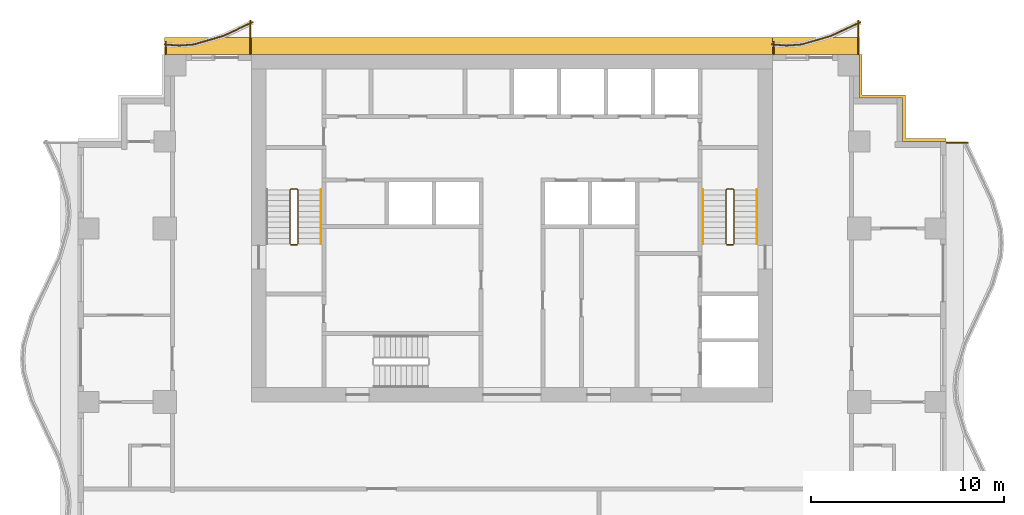
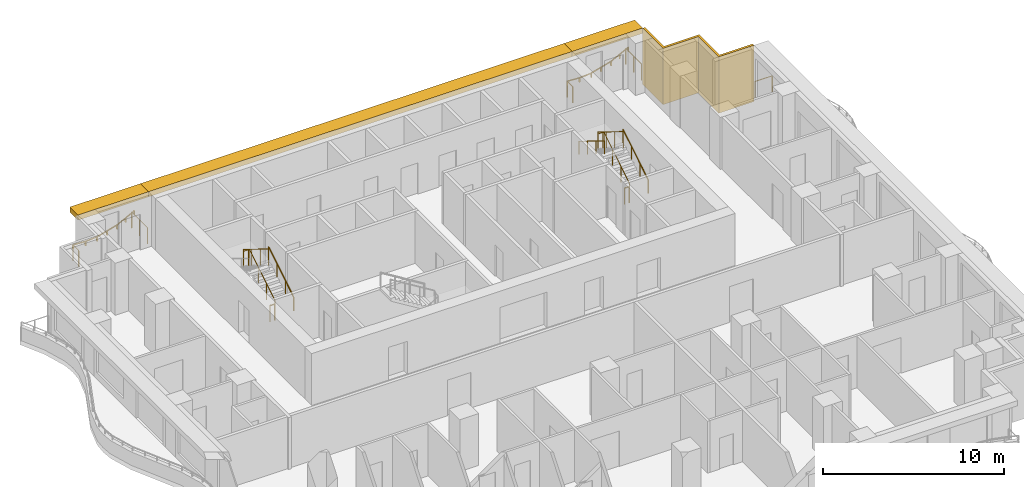
# One storey, part 10 of 10: 14 railings, 4 shading devices.
"""IFC4 building model written with IfcOpenShell, lengths in metres."""

from ifc_helpers import new_model, si_unit, direction, frame, origin, origin_2d, place, context, subcontext, project, spatial, polyline, rectangle, circle, outline, extrude, material, layer, layer_set, type_object, element, save


model = new_model("IFC4")

# Units and contexts
model_context = context("Model", 3, precision=1e-05, world=origin(), true_north=direction((0.0, 1.0)))
body_context = subcontext(model_context, "Body", "Model", "MODEL_VIEW")
ifc_project = project(units=[si_unit("LENGTHUNIT", "METRE"), si_unit("AREAUNIT", "SQUARE_METRE"), si_unit("VOLUMEUNIT", "CUBIC_METRE"), si_unit("PLANEANGLEUNIT", "RADIAN"), si_unit("MASSUNIT", "GRAM", prefix="KILO")], contexts=[model_context])

# Site, building, storey
site_placement = place(None, origin())
site = spatial("IfcSite", under=ifc_project, at=site_placement, CompositionType="ELEMENT")
building_placement = place(site_placement, origin())
building = spatial("IfcBuilding", under=site, at=building_placement, Name="Orbiselva Terraces", CompositionType="ELEMENT")
storey_placement = place(building_placement, frame((0.0, 0.0, 159.2)))
storey = spatial("IfcBuildingStorey", under=building, at=storey_placement, Name="L40", CompositionType="ELEMENT", Elevation=159.2)

# Railings
ifc_material_1 = material(Name="Stainless steel", Category="steel")
railing_type_1 = type_object("IfcRailingType", Name="CORE-GUARD-1100", PredefinedType="GUARDRAIL", material=ifc_material_1)
railing_1_placement = place(storey_placement, frame((-11.1, 12.7, 0.172727)))
element("IfcRailing", 1, at=railing_1_placement, inside=storey, type_object=railing_type_1, Name="L40 S1 stair guard 1", PredefinedType="GUARDRAIL", context=body_context, shape_type="SweptSolid", body=[
    extrude(circle(Radius=0.024, at=origin_2d()), frame((0.0, 0.0, 1.081), z_axis=(0.0, 0.851088519012, 0.52502222125), x_axis=(-1.0, 0.0, 0.0)), (0.0, 0.0, 1.0), 3.289905),
    extrude(circle(Radius=0.024, at=origin_2d()), frame((0.0, 2.8, 2.808273), z_axis=(-0.707106781187, 0.707106781187, 0.0), x_axis=(-0.707106781187, -0.707106781187, 0.0)), (0.0, 0.0, 1.0), 0.070711),
    extrude(circle(Radius=0.024, at=origin_2d()), frame((-0.05, 2.85, 2.808273), z_axis=(-1.0, 0.0, 0.0), x_axis=(0.0, -1.0, 0.0)), (0.0, 0.0, 1.0), 0.3),
    extrude(circle(Radius=0.024, at=origin_2d()), frame((-0.35, 2.85, 2.808273), z_axis=(-0.267894925557, -0.267894925557, 0.925453736133), x_axis=(0.707106781187, -0.707106781187, 0.0)), (0.0, 0.0, 1.0), 0.18664),
    extrude(circle(Radius=0.024, at=origin_2d()), frame((-0.4, 2.8, 2.981), z_axis=(0.0, -0.851088519012, 0.52502222125), x_axis=(1.0, 0.0, 0.0)), (0.0, 0.0, 1.0), 3.289905),
    extrude(circle(Radius=0.021, at=origin_2d()), origin(), (0.0, 0.0, 1.0), 1.057),
    extrude(circle(Radius=0.021, at=origin_2d()), frame((0.0, 0.933333, 0.575758)), (0.0, 0.0, 1.0), 1.057),
    extrude(circle(Radius=0.021, at=origin_2d()), frame((0.0, 1.866667, 1.151515)), (0.0, 0.0, 1.0), 1.057),
    extrude(circle(Radius=0.021, at=origin_2d()), frame((0.0, 2.8, 1.727273)), (0.0, 0.0, 1.0), 1.057),
    extrude(circle(Radius=0.021, at=origin_2d()), frame((-0.05, 2.85, 1.727273)), (0.0, 0.0, 1.0), 1.057),
    extrude(circle(Radius=0.021, at=origin_2d()), frame((-0.35, 2.85, 1.727273)), (0.0, 0.0, 1.0), 1.057),
    extrude(circle(Radius=0.021, at=origin_2d()), frame((-0.4, 2.8, 1.9)), (0.0, 0.0, 1.0), 1.057),
    extrude(circle(Radius=0.021, at=origin_2d()), frame((-0.4, 1.866667, 2.475758)), (0.0, 0.0, 1.0), 1.057),
    extrude(circle(Radius=0.021, at=origin_2d()), frame((-0.4, 0.933333, 3.051515)), (0.0, 0.0, 1.0), 1.057),
    extrude(circle(Radius=0.021, at=origin_2d()), frame((-0.4, 0.0, 3.627273)), (0.0, 0.0, 1.0), 1.057),
])
railing_2_placement = place(storey_placement, frame((-11.15, 12.65, 0.0)))
element("IfcRailing", 2, at=railing_2_placement, inside=storey, type_object=railing_type_1, Name="L40 S1 stair guard 2", PredefinedType="GUARDRAIL", context=body_context, shape_type="SweptSolid", body=[
    extrude(circle(Radius=0.024, at=origin_2d()), frame((0.0, 0.0, 1.081), z_axis=(-1.0, 0.0, 0.0), x_axis=(0.0, -1.0, 0.0)), (0.0, 0.0, 1.0), 0.3),
    extrude(circle(Radius=0.021, at=origin_2d()), origin(), (0.0, 0.0, 1.0), 1.057),
    extrude(circle(Radius=0.021, at=origin_2d()), frame((-0.3, 0.0, 0.0)), (0.0, 0.0, 1.0), 1.057),
])
railing_3_placement = place(storey_placement, frame((11.5, 12.7, 0.172727)))
element("IfcRailing", 3, at=railing_3_placement, inside=storey, type_object=railing_type_1, Name="L40 S2 stair guard 1", PredefinedType="GUARDRAIL", context=body_context, shape_type="SweptSolid", body=[
    extrude(circle(Radius=0.024, at=origin_2d()), frame((0.0, 0.0, 1.081), z_axis=(0.0, 0.851088519012, 0.52502222125), x_axis=(-1.0, 0.0, 0.0)), (0.0, 0.0, 1.0), 3.289905),
    extrude(circle(Radius=0.024, at=origin_2d()), frame((0.0, 2.8, 2.808273), z_axis=(-0.707106781187, 0.707106781187, 0.0), x_axis=(-0.707106781187, -0.707106781187, 0.0)), (0.0, 0.0, 1.0), 0.070711),
    extrude(circle(Radius=0.024, at=origin_2d()), frame((-0.05, 2.85, 2.808273), z_axis=(-1.0, 0.0, 0.0), x_axis=(0.0, -1.0, 0.0)), (0.0, 0.0, 1.0), 0.3),
    extrude(circle(Radius=0.024, at=origin_2d()), frame((-0.35, 2.85, 2.808273), z_axis=(-0.267894925557, -0.267894925557, 0.925453736133), x_axis=(0.707106781187, -0.707106781187, 0.0)), (0.0, 0.0, 1.0), 0.18664),
    extrude(circle(Radius=0.024, at=origin_2d()), frame((-0.4, 2.8, 2.981), z_axis=(0.0, -0.851088519012, 0.52502222125), x_axis=(1.0, 0.0, 0.0)), (0.0, 0.0, 1.0), 3.289905),
    extrude(circle(Radius=0.021, at=origin_2d()), origin(), (0.0, 0.0, 1.0), 1.057),
    extrude(circle(Radius=0.021, at=origin_2d()), frame((0.0, 0.933333, 0.575758)), (0.0, 0.0, 1.0), 1.057),
    extrude(circle(Radius=0.021, at=origin_2d()), frame((0.0, 1.866667, 1.151515)), (0.0, 0.0, 1.0), 1.057),
    extrude(circle(Radius=0.021, at=origin_2d()), frame((0.0, 2.8, 1.727273)), (0.0, 0.0, 1.0), 1.057),
    extrude(circle(Radius=0.021, at=origin_2d()), frame((-0.05, 2.85, 1.727273)), (0.0, 0.0, 1.0), 1.057),
    extrude(circle(Radius=0.021, at=origin_2d()), frame((-0.35, 2.85, 1.727273)), (0.0, 0.0, 1.0), 1.057),
    extrude(circle(Radius=0.021, at=origin_2d()), frame((-0.4, 2.8, 1.9)), (0.0, 0.0, 1.0), 1.057),
    extrude(circle(Radius=0.021, at=origin_2d()), frame((-0.4, 1.866667, 2.475758)), (0.0, 0.0, 1.0), 1.057),
    extrude(circle(Radius=0.021, at=origin_2d()), frame((-0.4, 0.933333, 3.051515)), (0.0, 0.0, 1.0), 1.057),
    extrude(circle(Radius=0.021, at=origin_2d()), frame((-0.4, 0.0, 3.627273)), (0.0, 0.0, 1.0), 1.057),
])
railing_4_placement = place(storey_placement, frame((11.45, 12.65, 0.0)))
element("IfcRailing", 4, at=railing_4_placement, inside=storey, type_object=railing_type_1, Name="L40 S2 stair guard 2", PredefinedType="GUARDRAIL", context=body_context, shape_type="SweptSolid", body=[
    extrude(circle(Radius=0.024, at=origin_2d()), frame((0.0, 0.0, 1.081), z_axis=(-1.0, 0.0, 0.0), x_axis=(0.0, -1.0, 0.0)), (0.0, 0.0, 1.0), 0.3),
    extrude(circle(Radius=0.021, at=origin_2d()), origin(), (0.0, 0.0, 1.0), 1.057),
    extrude(circle(Radius=0.021, at=origin_2d()), frame((-0.3, 0.0, 0.0)), (0.0, 0.0, 1.0), 1.057),
])
railing_type_2 = type_object("IfcRailingType", Name="CORE-HANDRAIL-900", PredefinedType="HANDRAIL", material=ifc_material_1)
for number, where, name in (
    (5, (-9.9, 12.7, 0.172727), "L40 S1 stair handrail 1"),
    (6, (12.7, 12.7, 0.172727), "L40 S2 stair handrail 1"),
):
    element("IfcRailing", number, at=place(storey_placement, frame(where)), inside=storey, type_object=railing_type_2, Name=name, PredefinedType="HANDRAIL", context=body_context, shape_type="SweptSolid", body=[
        extrude(circle(Radius=0.024, at=origin_2d()), frame((0.0, 0.0, 0.876), z_axis=(0.0, 0.851088519012, 0.52502222125), x_axis=(-1.0, 0.0, 0.0)), (0.0, 0.0, 1.0), 3.289905),
        extrude(circle(Radius=0.021, at=origin_2d()), origin(), (0.0, 0.0, 1.0), 0.852),
        extrude(circle(Radius=0.021, at=origin_2d()), frame((0.0, 0.933333, 0.575758)), (0.0, 0.0, 1.0), 0.852),
        extrude(circle(Radius=0.021, at=origin_2d()), frame((0.0, 1.866667, 1.151515)), (0.0, 0.0, 1.0), 0.852),
        extrude(circle(Radius=0.021, at=origin_2d()), frame((0.0, 2.8, 1.727273)), (0.0, 0.0, 1.0), 0.852),
    ])
railing_5_placement = place(storey_placement, frame((9.9, 15.5, 2.072727)))
element("IfcRailing", 7, at=railing_5_placement, inside=storey, type_object=railing_type_2, Name="L40 S2 stair handrail 2", PredefinedType="HANDRAIL", context=body_context, shape_type="SweptSolid", body=[
    extrude(circle(Radius=0.024, at=origin_2d()), frame((0.0, 0.0, 0.876), z_axis=(0.0, -0.851088519012, 0.52502222125), x_axis=(1.0, 0.0, 0.0)), (0.0, 0.0, 1.0), 3.289905),
    extrude(circle(Radius=0.021, at=origin_2d()), origin(), (0.0, 0.0, 1.0), 0.852),
    extrude(circle(Radius=0.021, at=origin_2d()), frame((0.0, -0.933333, 0.575758)), (0.0, 0.0, 1.0), 0.852),
    extrude(circle(Radius=0.021, at=origin_2d()), frame((0.0, -1.866667, 1.151515)), (0.0, 0.0, 1.0), 0.852),
    extrude(circle(Radius=0.021, at=origin_2d()), frame((0.0, -2.8, 1.727273)), (0.0, 0.0, 1.0), 0.852),
])
ifc_material_2 = material(Name="Bonded two-ply safety glass balustrade, stainless steel posts", Category="steel")
railing_type_3 = type_object("IfcRailingType", Name="ENV-BALUSTRADE-1200", PredefinedType="BALUSTRADE", material=ifc_material_2)
railing_6_placement = place(storey_placement, frame((18.053191, 24.186882, 0.9)))
element("IfcRailing", 8, at=railing_6_placement, inside=storey, type_object=railing_type_3, Name="Balcony balustrade L40 NE", PredefinedType="BALUSTRADE", context=body_context, shape_type="SweptSolid", body=[
    extrude(outline(polyline([(0.028868, 0.0), (0.014434, 0.025), (-0.014434, 0.025), (-0.028868, 0.0), (-0.014434, -0.025), (0.014434, -0.025), (0.028868, 0.0)])), frame((0.0, 0.0, 0.275), z_axis=(-0.904944157382, -0.425530342069, 0.0), x_axis=(0.425530342069, -0.904944157382, 0.0)), (0.0, 0.0, 1.0), 1.667376),
    extrude(outline(polyline([(0.028868, 0.0), (0.014434, 0.025), (-0.014434, 0.025), (-0.028868, 0.0), (-0.014434, -0.025), (0.014434, -0.025), (0.028868, 0.0)])), frame((-1.508882, -0.709519, 0.275), z_axis=(-0.960270491427, -0.279070928786, 0.0), x_axis=(0.279070928786, -0.960270491427, 0.0)), (0.0, 0.0, 1.0), 1.584712),
    extrude(outline(polyline([(0.028868, 0.0), (0.014434, 0.025), (-0.014434, 0.025), (-0.028868, 0.0), (-0.014434, -0.025), (0.014434, -0.025), (0.028868, 0.0)])), frame((-3.030634, -1.151766, 0.275), z_axis=(-0.996947796737, -0.078071061106, 0.0), x_axis=(0.078071061106, -0.996947796737, 0.0)), (0.0, 0.0, 1.0), 0.774922),
    extrude(outline(polyline([(0.028868, 0.0), (0.014434, 0.025), (-0.014434, 0.025), (-0.028868, 0.0), (-0.014434, -0.025), (0.014434, -0.025), (0.028868, 0.0)])), frame((-3.803191, -1.212265, 0.275), z_axis=(-0.996947775044, 0.078071338111, 0.0), x_axis=(-0.078071338111, -0.996947775044, 0.0)), (0.0, 0.0, 1.0), 0.762085),
    extrude(rectangle(XDim=0.05, YDim=0.05, at=origin_2d()), origin(), (0.0, 0.0, 1.0), 0.25),
    extrude(rectangle(XDim=0.05, YDim=0.05, at=origin_2d()), frame((-0.754441, -0.35476, 0.0)), (0.0, 0.0, 1.0), 0.25),
    extrude(rectangle(XDim=0.05, YDim=0.05, at=origin_2d()), frame((-1.508882, -0.709519, 0.0)), (0.0, 0.0, 1.0), 0.25),
    extrude(rectangle(XDim=0.05, YDim=0.05, at=origin_2d()), frame((-2.269758, -0.930643, 0.0)), (0.0, 0.0, 1.0), 0.25),
    extrude(rectangle(XDim=0.05, YDim=0.05, at=origin_2d()), frame((-3.030634, -1.151766, 0.0)), (0.0, 0.0, 1.0), 0.25),
    extrude(rectangle(XDim=0.05, YDim=0.05, at=origin_2d()), frame((-3.803191, -1.212265, 0.0)), (0.0, 0.0, 1.0), 0.25),
    extrude(rectangle(XDim=0.05, YDim=0.05, at=origin_2d()), frame((-4.56295, -1.152768, 0.0)), (0.0, 0.0, 1.0), 0.25),
])
railing_7_placement = place(storey_placement, frame((-13.446809, 24.186882, 0.9)))
element("IfcRailing", 9, at=railing_7_placement, inside=storey, type_object=railing_type_3, Name="Balcony balustrade L40 NW", PredefinedType="BALUSTRADE", context=body_context, shape_type="SweptSolid", body=[
    extrude(outline(polyline([(0.028868, 0.0), (0.014434, 0.025), (-0.014434, 0.025), (-0.028868, 0.0), (-0.014434, -0.025), (0.014434, -0.025), (0.028868, 0.0)])), frame((0.0, 0.0, 0.275), z_axis=(-0.904944157382, -0.425530342069, 0.0), x_axis=(0.425530342069, -0.904944157382, 0.0)), (0.0, 0.0, 1.0), 1.667376),
    extrude(outline(polyline([(0.028868, 0.0), (0.014434, 0.025), (-0.014434, 0.025), (-0.028868, 0.0), (-0.014434, -0.025), (0.014434, -0.025), (0.028868, 0.0)])), frame((-1.508882, -0.709519, 0.275), z_axis=(-0.960270491427, -0.279070928786, 0.0), x_axis=(0.279070928786, -0.960270491427, 0.0)), (0.0, 0.0, 1.0), 1.584712),
    extrude(outline(polyline([(0.028868, 0.0), (0.014434, 0.025), (-0.014434, 0.025), (-0.028868, 0.0), (-0.014434, -0.025), (0.014434, -0.025), (0.028868, 0.0)])), frame((-3.030634, -1.151766, 0.275), z_axis=(-0.996947796737, -0.078071061106, 0.0), x_axis=(0.078071061106, -0.996947796737, 0.0)), (0.0, 0.0, 1.0), 0.774922),
    extrude(outline(polyline([(0.028868, 0.0), (0.014434, 0.025), (-0.014434, 0.025), (-0.028868, 0.0), (-0.014434, -0.025), (0.014434, -0.025), (0.028868, 0.0)])), frame((-3.803191, -1.212265, 0.275), z_axis=(-0.996947775044, 0.078071338111, 0.0), x_axis=(-0.078071338111, -0.996947775044, 0.0)), (0.0, 0.0, 1.0), 0.762085),
    extrude(rectangle(XDim=0.05, YDim=0.05, at=origin_2d()), origin(), (0.0, 0.0, 1.0), 0.25),
    extrude(rectangle(XDim=0.05, YDim=0.05, at=origin_2d()), frame((-0.754441, -0.35476, 0.0)), (0.0, 0.0, 1.0), 0.25),
    extrude(rectangle(XDim=0.05, YDim=0.05, at=origin_2d()), frame((-1.508882, -0.709519, 0.0)), (0.0, 0.0, 1.0), 0.25),
    extrude(rectangle(XDim=0.05, YDim=0.05, at=origin_2d()), frame((-2.269758, -0.930643, 0.0)), (0.0, 0.0, 1.0), 0.25),
    extrude(rectangle(XDim=0.05, YDim=0.05, at=origin_2d()), frame((-3.030634, -1.151766, 0.0)), (0.0, 0.0, 1.0), 0.25),
    extrude(rectangle(XDim=0.05, YDim=0.05, at=origin_2d()), frame((-3.803191, -1.212265, 0.0)), (0.0, 0.0, 1.0), 0.25),
    extrude(rectangle(XDim=0.05, YDim=0.05, at=origin_2d()), frame((-4.56295, -1.152768, 0.0)), (0.0, 0.0, 1.0), 0.25),
])
ifc_material_3 = material(Name="Stainless steel rail and posts", Category="steel")
railing_type_4 = type_object("IfcRailingType", Name="ENV-GUARD-1105", PredefinedType="BALUSTRADE", material=ifc_material_3)
railing_8_placement = place(storey_placement, frame((23.619277, 17.94, 0.0)))
element("IfcRailing", 10, at=railing_8_placement, inside=storey, type_object=railing_type_4, Name="Balcony end guard L40 E", PredefinedType="BALUSTRADE", context=body_context, shape_type="SweptSolid", body=[
    extrude(outline(polyline([(0.028868, 0.0), (0.014434, 0.025), (-0.014434, 0.025), (-0.028868, 0.0), (-0.014434, -0.025), (0.014434, -0.025), (0.028868, 0.0)])), frame((0.0, 0.0, 1.08), z_axis=(-1.0, 0.0, 0.0), x_axis=(0.0, -1.0, 0.0)), (0.0, 0.0, 1.0), 1.094277),
    extrude(rectangle(XDim=0.05, YDim=0.05, at=origin_2d()), origin(), (0.0, 0.0, 1.0), 1.055),
    extrude(rectangle(XDim=0.05, YDim=0.05, at=origin_2d()), frame((-1.094277, 0.0, 0.0)), (0.0, 0.0, 1.0), 1.055),
])
railing_9_placement = place(storey_placement, frame((17.94, 24.269844, 0.0)))
element("IfcRailing", 11, at=railing_9_placement, inside=storey, type_object=railing_type_4, Name="Balcony end guard L40 NE", PredefinedType="BALUSTRADE", context=body_context, shape_type="SweptSolid", body=[
    extrude(outline(polyline([(0.028868, 0.0), (0.014434, 0.025), (-0.014434, 0.025), (-0.028868, 0.0), (-0.014434, -0.025), (0.014434, -0.025), (0.028868, 0.0)])), frame((0.0, 0.0, 1.08), z_axis=(0.0, -1.0, 0.0), x_axis=(1.0, 0.0, 0.0)), (0.0, 0.0, 1.0), 1.744844),
    extrude(rectangle(XDim=0.05, YDim=0.05, at=origin_2d()), origin(), (0.0, 0.0, 1.0), 1.055),
    extrude(rectangle(XDim=0.05, YDim=0.05, at=origin_2d()), frame((0.0, -0.872422, 0.0)), (0.0, 0.0, 1.0), 1.055),
    extrude(rectangle(XDim=0.05, YDim=0.05, at=origin_2d()), frame((0.0, -1.744844, 0.0)), (0.0, 0.0, 1.0), 1.055),
])
railing_10_placement = place(storey_placement, frame((13.56, 23.149774, 0.0)))
element("IfcRailing", 12, at=railing_10_placement, inside=storey, type_object=railing_type_4, Name="Balcony end guard L40 NE", PredefinedType="BALUSTRADE", context=body_context, shape_type="SweptSolid", body=[
    extrude(outline(polyline([(0.028868, 0.0), (0.014434, 0.025), (-0.014434, 0.025), (-0.028868, 0.0), (-0.014434, -0.025), (0.014434, -0.025), (0.028868, 0.0)])), frame((0.0, 0.0, 1.08), z_axis=(0.0, -1.0, 0.0), x_axis=(1.0, 0.0, 0.0)), (0.0, 0.0, 1.0), 0.624774),
    extrude(rectangle(XDim=0.05, YDim=0.05, at=origin_2d()), origin(), (0.0, 0.0, 1.0), 1.055),
    extrude(rectangle(XDim=0.05, YDim=0.05, at=origin_2d()), frame((0.0, -0.624774, 0.0)), (0.0, 0.0, 1.0), 1.055),
])
railing_11_placement = place(storey_placement, frame((-13.56, 24.269844, 0.0)))
element("IfcRailing", 13, at=railing_11_placement, inside=storey, type_object=railing_type_4, Name="Balcony end guard L40 NW", PredefinedType="BALUSTRADE", context=body_context, shape_type="SweptSolid", body=[
    extrude(outline(polyline([(0.028868, 0.0), (0.014434, 0.025), (-0.014434, 0.025), (-0.028868, 0.0), (-0.014434, -0.025), (0.014434, -0.025), (0.028868, 0.0)])), frame((0.0, 0.0, 1.08), z_axis=(0.0, -1.0, 0.0), x_axis=(1.0, 0.0, 0.0)), (0.0, 0.0, 1.0), 1.744844),
    extrude(rectangle(XDim=0.05, YDim=0.05, at=origin_2d()), origin(), (0.0, 0.0, 1.0), 1.055),
    extrude(rectangle(XDim=0.05, YDim=0.05, at=origin_2d()), frame((0.0, -0.872422, 0.0)), (0.0, 0.0, 1.0), 1.055),
    extrude(rectangle(XDim=0.05, YDim=0.05, at=origin_2d()), frame((0.0, -1.744844, 0.0)), (0.0, 0.0, 1.0), 1.055),
])
railing_12_placement = place(storey_placement, frame((-17.94, 23.149774, 0.0)))
element("IfcRailing", 14, at=railing_12_placement, inside=storey, type_object=railing_type_4, Name="Balcony end guard L40 NW", PredefinedType="BALUSTRADE", context=body_context, shape_type="SweptSolid", body=[
    extrude(outline(polyline([(0.028868, 0.0), (0.014434, 0.025), (-0.014434, 0.025), (-0.028868, 0.0), (-0.014434, -0.025), (0.014434, -0.025), (0.028868, 0.0)])), frame((0.0, 0.0, 1.08), z_axis=(0.0, -1.0, 0.0), x_axis=(1.0, 0.0, 0.0)), (0.0, 0.0, 1.0), 0.624774),
    extrude(rectangle(XDim=0.05, YDim=0.05, at=origin_2d()), origin(), (0.0, 0.0, 1.0), 1.055),
    extrude(rectangle(XDim=0.05, YDim=0.05, at=origin_2d()), frame((0.0, -0.624774, 0.0)), (0.0, 0.0, 1.0), 1.055),
])

# Shading devices
ifc_material_4 = material(Name="Terracotta louvre screen", Category="masonry")
ifc_layer_1 = layer(ifc_material_4, 0.15)
ifc_layer_set_1 = layer_set([ifc_layer_1], Name="Terracotta louvre screen")
shading_device_type_1 = type_object("IfcShadingDeviceType", Name="ENV-SCREEN-150", PredefinedType="USERDEFINED", material=ifc_layer_set_1)
shading_device_1_placement = place(storey_placement, frame((0.0, 0.0, -0.3)))
element("IfcShadingDevice", 15, at=shading_device_1_placement, inside=storey, type_object=shading_device_type_1, Name="Louvre screen L40 NE", ObjectType="SCREEN", PredefinedType="USERDEFINED", context=body_context, shape_type="SweptSolid", body=[
    extrude(outline(polyline([(22.5, 18.15), (20.4, 18.15), (20.4, 20.4), (18.15, 20.4), (18.15, 22.5), (18.0, 22.5), (18.0, 20.25), (20.25, 20.25), (20.25, 18.0), (22.5, 18.0), (22.5, 18.15)])), origin(), (0.0, 0.0, 1.0), 3.8),
])
ifc_material_5 = material(Name="Terracotta baguette sunshade", Category="masonry")
ifc_layer_2 = layer(ifc_material_5, 0.35)
ifc_layer_set_2 = layer_set([ifc_layer_2], Name="Terracotta baguette sunshade")
shading_device_type_2 = type_object("IfcShadingDeviceType", Name="ENV-SUNSHADE-900x350", PredefinedType="USERDEFINED", material=ifc_layer_set_2)
shading_device_2_placement = place(storey_placement, frame((0.0, 0.0, 3.15)))
element("IfcShadingDevice", 16, at=shading_device_2_placement, inside=storey, type_object=shading_device_type_2, Name="Sunshade band L40 NE", ObjectType="SUNSHADE", PredefinedType="USERDEFINED", context=body_context, shape_type="SweptSolid", body=[
    extrude(outline(polyline([(18.0, 23.4), (13.5, 23.4), (13.5, 22.5), (18.0, 22.5), (18.0, 23.4)])), origin(), (0.0, 0.0, 1.0), 0.35),
])
shading_device_3_placement = place(storey_placement, frame((0.0, 0.0, 3.15)))
element("IfcShadingDevice", 17, at=shading_device_3_placement, inside=storey, type_object=shading_device_type_2, Name="Sunshade band L40 CORE NORTH", ObjectType="SUNSHADE", PredefinedType="USERDEFINED", context=body_context, shape_type="SweptSolid", body=[
    extrude(outline(polyline([(13.5, 23.4), (-13.5, 23.4), (-13.5, 22.5), (13.5, 22.5), (13.5, 23.4)])), origin(), (0.0, 0.0, 1.0), 0.35),
])
shading_device_4_placement = place(storey_placement, frame((0.0, 0.0, 3.15)))
element("IfcShadingDevice", 18, at=shading_device_4_placement, inside=storey, type_object=shading_device_type_2, Name="Sunshade band L40 NW", ObjectType="SUNSHADE", PredefinedType="USERDEFINED", context=body_context, shape_type="SweptSolid", body=[
    extrude(outline(polyline([(-13.5, 23.4), (-18.0, 23.4), (-18.0, 22.5), (-13.5, 22.5), (-13.5, 23.4)])), origin(), (0.0, 0.0, 1.0), 0.35),
])

save(model, "model.ifc")
